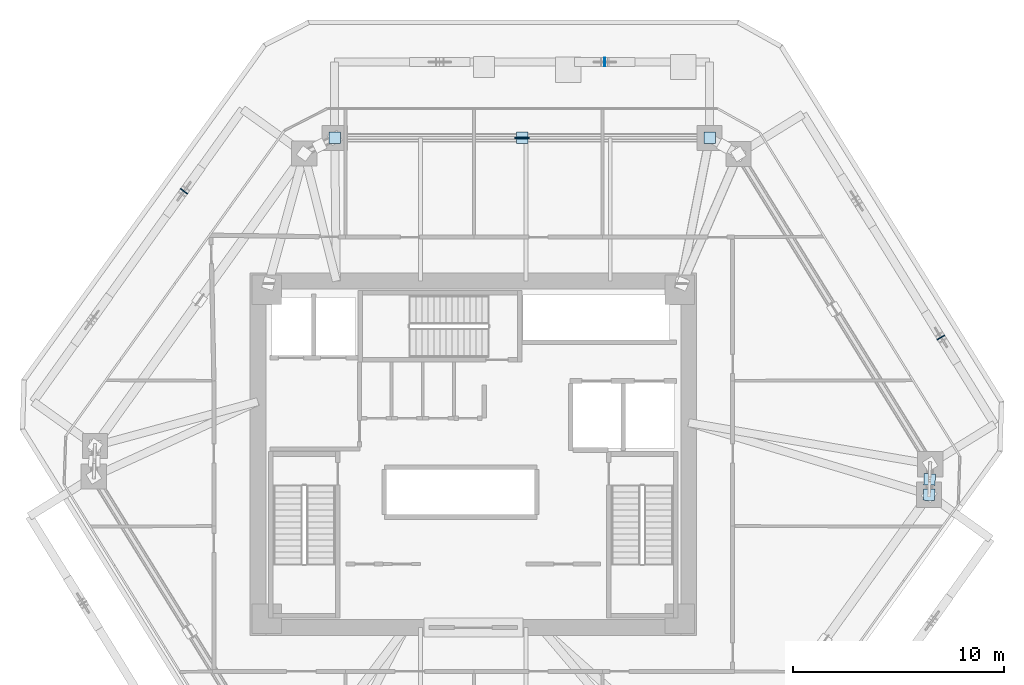
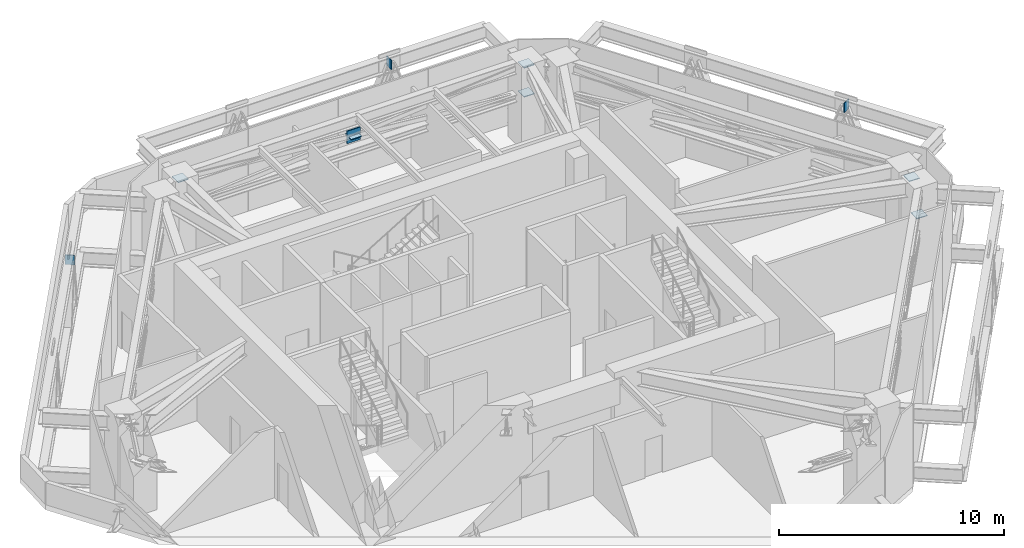
# One storey, part 7 of 11: 10 plates.
"""IFC4 building model written with IfcOpenShell, lengths in metres."""

from ifc_helpers import new_model, si_unit, direction, frame, origin, origin_2d, place, context, subcontext, project, spatial, rectangle, extrude, source, transform, mapped, material, layer, layer_set, type_object, type_shapes, element, save


model = new_model("IFC4")

# Units and contexts
model_context = context("Model", 3, precision=1e-05, world=origin(), true_north=direction((0.0, 1.0)))
body_context = subcontext(model_context, "Body", "Model", "MODEL_VIEW")
ifc_project = project(units=[si_unit("LENGTHUNIT", "METRE"), si_unit("AREAUNIT", "SQUARE_METRE"), si_unit("VOLUMEUNIT", "CUBIC_METRE"), si_unit("PLANEANGLEUNIT", "RADIAN"), si_unit("MASSUNIT", "GRAM", prefix="KILO")], contexts=[model_context])

# Site, building, storey
site_placement = place(None, origin())
site = spatial("IfcSite", under=ifc_project, at=site_placement, CompositionType="ELEMENT")
building_placement = place(site_placement, origin())
building = spatial("IfcBuilding", under=site, at=building_placement, Name="Durnholm Broadcast Tower", CompositionType="ELEMENT")
storey_placement = place(building_placement, frame((0.0, 0.0, 150.300048828125)))
storey = spatial("IfcBuildingStorey", under=building, at=storey_placement, Name="L41", CompositionType="ELEMENT", Elevation=150.300048828125)

# Plates
ifc_material_1 = material(Name="Steel ASTM A572 Grade 50", Category="steel")
ifc_layer_1 = layer(ifc_material_1, 0.0400390625)
ifc_layer_set_1 = layer_set([ifc_layer_1], Name="Steel ASTM A572 Grade 50")
plate_type_1 = type_object("IfcPlateType", Name="PLT-KN-CAP", PredefinedType="USERDEFINED", material=ifc_layer_set_1)
shared_shape_1 = source(origin(), body_context, "Body", "SweptSolid", [
    extrude(rectangle(XDim=0.5400390625, YDim=0.5400390625, at=origin_2d()), origin(), (0.0, 0.0, 1.0), 0.0400390625),
])
type_shapes(plate_type_1, [shared_shape_1])
for number, where, z_axis, x_axis, name in (
    (1, (11.217529296875, 15.01806640625, 2.530029296875), (0.0, 0.0, 1.0), (1.0, 0.0, 0.0), "L41 hollow section end cap plate BT-CH-L41-05 2"),
    (2, (11.217529296875, 15.01806640625, 4.10986328125), (0.0, 0.0, 1.0), (1.0, 0.0, 0.0), "L41 hollow section end cap plate BT-XCONT-L41-05 2"),
    (3, (2.3193359375, 15.01806640625, 3.31982421875), (0.0, 0.0, 1.0), (-1.0, 0.0, 0.0), "L41 hollow section end cap plate BT-XSPLIT-L41-05-1 2"),
    (4, (-6.57861328125, 15.01806640625, 4.10986328125), (0.0, 0.0, 1.0), (-1.0, 0.0, 0.0), "L41 hollow section end cap plate BT-XSPLIT-L41-05-2 2"),
    (5, (21.637939453125, -1.919677734375, 2.530029296875), (0.0, 0.0, 1.0), (-0.033852918131, -0.999426825703, 0.0), "L41 hollow section end cap plate BT-CH-L41-08 2"),
    (6, (21.66259765625, -1.193359375, 4.10986328125), (0.0, 0.0, 1.0), (-0.033852918131, -0.999426825703, 0.0), "L41 hollow section end cap plate BT-BR-L41-08-1 2"),
):
    element("IfcPlate", number, at=place(storey_placement, frame(where, z_axis=z_axis, x_axis=x_axis)), inside=storey, type_object=plate_type_1, Name=name, ObjectType="CAP_PLATE", PredefinedType="USERDEFINED", context=body_context, shape_type="MappedRepresentation", body=[
        mapped(shared_shape_1, transform((0.0, 0.0, 0.0), x_axis=(1.0, 0.0, 0.0), y_axis=(0.0, 1.0, 0.0), z_axis=(0.0, 0.0, 1.0), scale=1.0)),
    ])
ifc_material_2 = material(Name="ASTM A572 Grade 50 Steel", Category="steel")
ifc_layer_2 = layer(ifc_material_2, 0.06005859375)
ifc_layer_set_2 = layer_set([ifc_layer_2], Name="ASTM A572 Grade 50 Steel")
plate_type_2 = type_object("IfcPlateType", Name="PLT-KN-X1", PredefinedType="USERDEFINED", material=ifc_layer_set_2)
shared_shape_2 = source(origin(), body_context, "Body", "SweptSolid", [
    extrude(rectangle(XDim=0.679931640625, YDim=0.06005859375, at=origin_2d()), origin(), (0.0, 0.0, 1.0), 0.679931640625),
])
type_shapes(plate_type_2, [shared_shape_2])
plate_placement = place(storey_placement, frame((2.3193359375, 15.01806640625, 3.0), z_axis=(0.0, 0.0, 1.0), x_axis=(1.0, 0.0, 0.0)))
element("IfcPlate", 7, at=plate_placement, inside=storey, type_object=plate_type_2, Name="L41 belt-truss X-brace crossing gusset plate 05", ObjectType="GUSSET_PLATE", PredefinedType="USERDEFINED", context=body_context, shape_type="MappedRepresentation", body=[
    mapped(shared_shape_2, transform((0.0, 0.0, 0.0), x_axis=(1.0, 0.0, 0.0), y_axis=(0.0, 1.0, 0.0), z_axis=(0.0, 0.0, 1.0), scale=1.0)),
])
ifc_layer_3 = layer(ifc_material_1, 0.044921875)
ifc_layer_set_3 = layer_set([ifc_layer_3], Name="Steel ASTM A572 Grade 50")
plate_type_3 = type_object("IfcPlateType", Name="PLT-KN-STIF", PredefinedType="SHEET", material=ifc_layer_set_3)
shared_shape_3 = source(origin(), body_context, "Body", "SweptSolid", [
    extrude(rectangle(XDim=0.044921875, YDim=0.419921875, at=origin_2d()), origin(), (0.0, 0.0, 1.0), 0.52001953125),
])
type_shapes(plate_type_3, [shared_shape_3])
for number, where, z_axis, x_axis, name in (
    (8, (22.202392578125, 5.546875, 3.468505859375), (0.0, 0.0, 1.0), (-0.525768608156, 0.850627633385, 0.0), "L41 welded diagrid node stiffener plate F3"),
    (9, (6.234619140625, 18.617919921875, 3.468505859375), (0.0, 0.0, 1.0), (-1.0, 0.0, 0.0), "L41 welded diagrid node stiffener plate F4"),
    (10, (-13.731689453125, 12.485595703125, 3.468505859375), (0.0, 0.0, 1.0), (-0.582122970157, -0.813100761047, 0.0), "L41 welded diagrid node stiffener plate F5"),
):
    element("IfcPlate", number, at=place(storey_placement, frame(where, z_axis=z_axis, x_axis=x_axis)), inside=storey, type_object=plate_type_3, Name=name, PredefinedType="SHEET", context=body_context, shape_type="MappedRepresentation", body=[
        mapped(shared_shape_3, transform((0.0, 0.0, 0.0), x_axis=(1.0, 0.0, 0.0), y_axis=(0.0, 1.0, 0.0), z_axis=(0.0, 0.0, 1.0), scale=1.0)),
    ])

save(model, "model.ifc")
